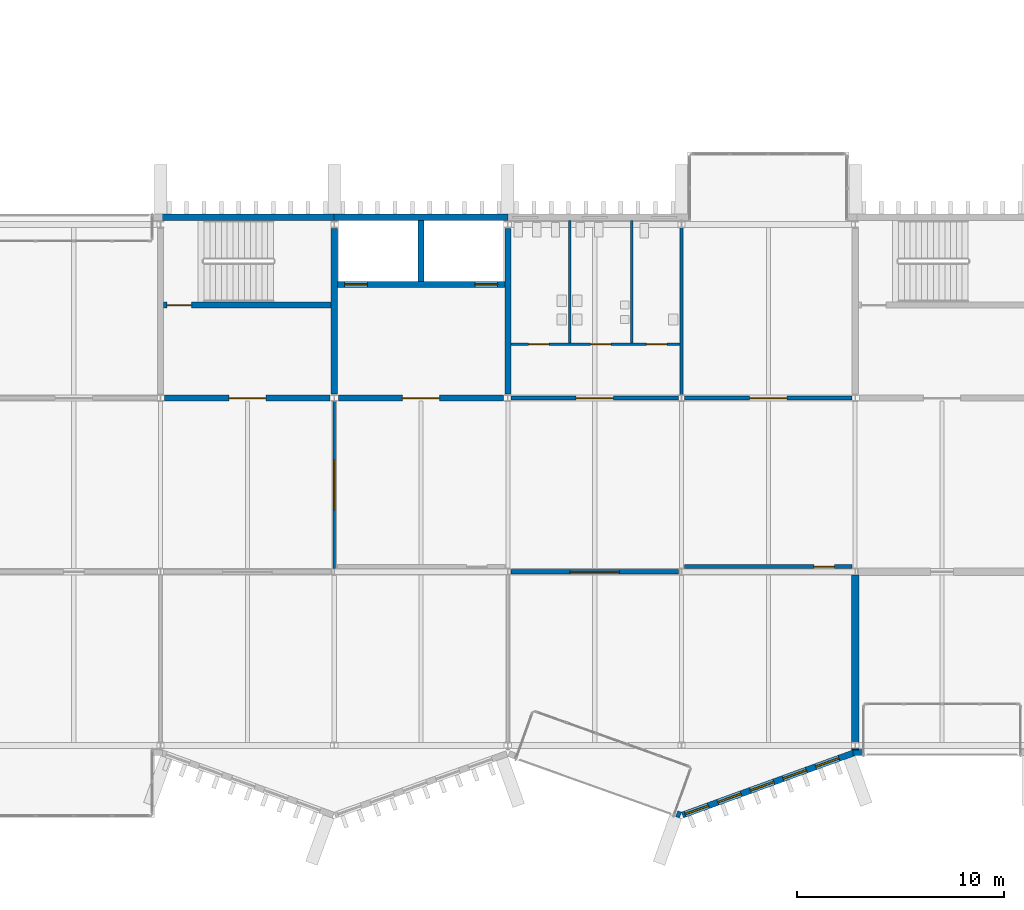
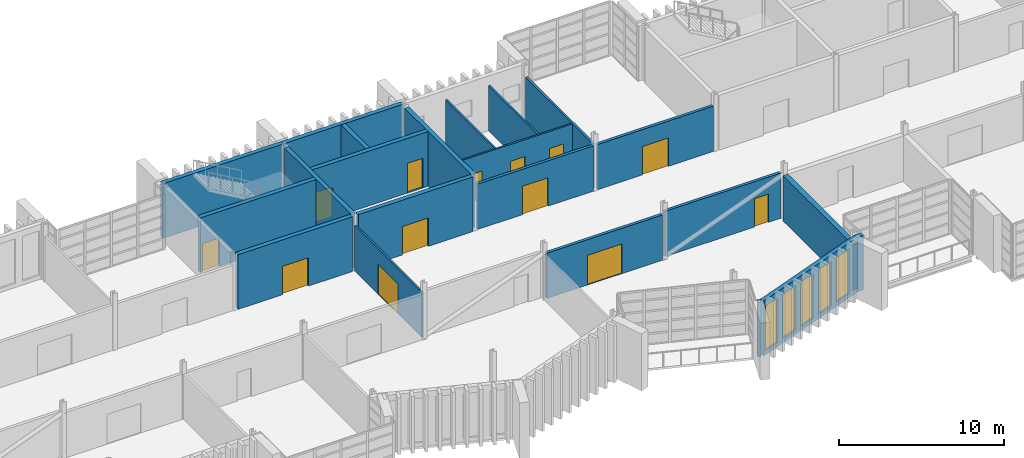
# One storey, part 66 of 100: 23 walls, 13 doors, 5 windows, 18 openings.
"""IFC4 building model written with IfcOpenShell, lengths in metres."""

from ifc_helpers import new_model, si_unit, direction, frame, frame_2d, origin, place, context, subcontext, project, spatial, rectangle, extrude, material, layer, layer_set, type_object, element, fill, save


model = new_model("IFC4")

# Units and contexts
model_context = context("Model", 3, precision=1e-05, world=origin(), true_north=direction((0.0, 1.0)))
body_context = subcontext(model_context, "Body", "Model", "MODEL_VIEW")
ifc_project = project(units=[si_unit("LENGTHUNIT", "METRE"), si_unit("AREAUNIT", "SQUARE_METRE"), si_unit("VOLUMEUNIT", "CUBIC_METRE"), si_unit("PLANEANGLEUNIT", "RADIAN"), si_unit("MASSUNIT", "GRAM", prefix="KILO")], contexts=[model_context])

# Site, building, storey
site_placement = place(None, origin())
site = spatial("IfcSite", under=ifc_project, at=site_placement, CompositionType="ELEMENT")
building_placement = place(site_placement, origin())
building = spatial("IfcBuilding", under=site, at=building_placement, Name="Cresset Court Congress Hotel", CompositionType="ELEMENT")
storey_placement = place(building_placement, frame((0.0, 0.0, 10.199951171875)))
storey = spatial("IfcBuildingStorey", under=building, at=storey_placement, Name="L02", CompositionType="ELEMENT", Elevation=10.199951171875)

# Walls
ifc_material_1 = material(Name="Double gypsum board leaves on steel studs with mineral wool", Category="steel")
ifc_layer_1 = layer(ifc_material_1, 0.35009765625)
ifc_layer_set_1 = layer_set([ifc_layer_1], Name="Acoustic double-leaf boardroom wall 350")
wall_type_1 = type_object("IfcWallType", Name="Acoustic double-leaf boardroom wall 350", PredefinedType="PARTITIONING", material=ifc_layer_set_1)
wall_1_placement = place(storey_placement, frame((134.39990234375, -0.199951171875, 0.0), z_axis=(0.0, 0.0, 1.0), x_axis=(0.0, 1.0, 0.0)))
element("IfcWall", 1, at=wall_1_placement, inside=storey, type_object=wall_type_1, Name="Boardroom acoustic wall", PredefinedType="PARTITIONING", context=body_context, shape_type="SweptSolid", body=[
    extrude(rectangle(XDim=0.050048828125, YDim=0.35009765625, at=frame_2d((0.02490234375, 0.0))), origin(), (0.0, 0.0, 1.0), 3.35009765625),
])
wall_2_placement = place(storey_placement, frame((134.39990234375, 0.14990234375, 0.0), z_axis=(0.0, 0.0, 1.0), x_axis=(0.0, 1.0, 0.0)))
element("IfcWall", 2, at=wall_2_placement, inside=storey, type_object=wall_type_1, Name="Boardroom acoustic wall", PredefinedType="PARTITIONING", context=body_context, shape_type="SweptSolid", body=[
    extrude(rectangle(XDim=8.10009765625, YDim=0.35009765625, at=frame_2d((4.050048828125, 0.0))), origin(), (0.0, 0.0, 1.0), 3.35009765625),
])
ifc_material_2 = material(Name="Concrete C50", Category="concrete")
ifc_layer_2 = layer(ifc_material_2, 0.300048828125)
ifc_layer_set_2 = layer_set([ifc_layer_2], Name="Core wall 300 Concrete C50")
wall_type_2 = type_object("IfcWallType", Name="Core wall 300 Concrete C50", PredefinedType="SHEAR", material=ifc_layer_set_2)
for number, where, z_axis, x_axis, name in (
    (3, (109.199951171875, 17.0, 0.0), (0.0, 0.0, 1.0), (0.0, 1.0, 0.0), "Core wall LC-B2"),
    (4, (117.60009765625, 17.0, 0.0), (0.0, 0.0, 1.0), (0.0, 1.0, 0.0), "Core wall LC-B2"),
):
    element("IfcWall", number, at=place(storey_placement, frame(where, z_axis=z_axis, x_axis=x_axis)), inside=storey, type_object=wall_type_2, Name=name, PredefinedType="SHEAR", context=body_context, shape_type="SweptSolid", body=[
        extrude(rectangle(XDim=8.0, YDim=0.300048828125, at=frame_2d((4.0, 0.0))), origin(), (0.0, 0.0, 1.0), 4.050048828125),
    ])

# Wall, opening, door
wall_3_placement = place(storey_placement, frame((109.39990234375, 16.800048828125, 0.0), z_axis=(0.0, 0.0, 1.0), x_axis=(1.0, 0.0, 0.0)))
wall_3 = element("IfcWall", 5, at=wall_3_placement, inside=storey, type_object=wall_type_2, Name="Core wall LC-B2", PredefinedType="SHEAR", context=body_context, shape_type="SweptSolid", body=[
    extrude(rectangle(XDim=8.0, YDim=0.300048828125, at=frame_2d((4.0, 0.0))), origin(), (0.0, 0.0, 1.0), 4.050048828125),
])
opening_1_placement = place(wall_3_placement, frame((3.10009765625, 0.0, 0.0)))
opening_1 = element("IfcOpeningElement", 6, at=opening_1_placement, cuts=wall_3, Name="Opening DB-02-35", PredefinedType="OPENING", context=body_context, shape_type="SweptSolid", body=[
    extrude(rectangle(XDim=1.800048828125, YDim=2.10009765625, at=frame_2d((0.89990234375, 1.050048828125))), frame((0.0, 0.159912109375, 0.0), z_axis=(0.0, -1.0, 0.0), x_axis=(1.0, 0.0, 0.0)), (0.0, 0.0, 1.0), 0.320068359375),
])
ifc_material_3 = material(Name="Timber and steel frame", Category="steel")
door_type_1 = type_object("IfcDoorType", Name="Lobby fire door FD60 double 1800x2100", OperationType="DOUBLE_DOOR_SINGLE_SWING", PredefinedType="DOOR", material=ifc_material_3)
door_1_placement = place(opening_1_placement, origin())
door_1 = element("IfcDoor", 7, at=door_1_placement, inside=storey, type_object=door_type_1, Name="Lift lobby door LC-B2", OperationType="DOUBLE_DOOR_SINGLE_SWING", OverallHeight=2.10009765625, OverallWidth=1.800048828125, PredefinedType="DOOR", context=body_context, shape_type="SweptSolid", body=[
    extrude(rectangle(XDim=1.800048828125, YDim=2.10009765625, at=frame_2d((0.89990234375, 1.050048828125))), frame((0.0, 0.02490234375, 0.0), z_axis=(0.0, -1.0, 0.0), x_axis=(1.0, 0.0, 0.0)), (0.0, 0.0, 1.0), 0.050048828125),
])
fill(opening_1, door_1)

# Wall, openings, doors
wall_4_placement = place(storey_placement, frame((109.35009765625, 22.300048828125, 0.0), z_axis=(0.0, 0.0, 1.0), x_axis=(1.0, 0.0, 0.0)))
wall_4 = element("IfcWall", 8, at=wall_4_placement, inside=storey, type_object=wall_type_2, Name="Core wall LC-B2", PredefinedType="SHEAR", context=body_context, shape_type="SweptSolid", body=[
    extrude(rectangle(XDim=8.099853515625, YDim=0.300048828125, at=frame_2d((4.0498046875, 0.0))), origin(), (0.0, 0.0, 1.0), 4.050048828125),
])
opening_2_placement = place(wall_4_placement, frame((0.35009765625, 0.0, 0.0)))
opening_2 = element("IfcOpeningElement", 9, at=opening_2_placement, cuts=wall_4, Name="Opening LD-B2-07", PredefinedType="OPENING", context=body_context, shape_type="SweptSolid", body=[
    extrude(rectangle(XDim=1.10009765625, YDim=2.199951171875, at=frame_2d((0.550048828125, 1.10009765625))), frame((0.0, 0.159912109375, 0.0), z_axis=(0.0, -1.0, 0.0), x_axis=(1.0, 0.0, 0.0)), (0.0, 0.0, 1.0), 0.320068359375),
])
opening_3_placement = place(wall_4_placement, frame((6.64990234375, 0.0, 0.0)))
opening_3 = element("IfcOpeningElement", 10, at=opening_3_placement, cuts=wall_4, Name="Opening LD-B2-08", PredefinedType="OPENING", context=body_context, shape_type="SweptSolid", body=[
    extrude(rectangle(XDim=1.10009765625, YDim=2.199951171875, at=frame_2d((0.550048828125, 1.10009765625))), frame((0.0, 0.159912109375, 0.0), z_axis=(0.0, -1.0, 0.0), x_axis=(1.0, 0.0, 0.0)), (0.0, 0.0, 1.0), 0.320068359375),
])
ifc_material_4 = material(Name="Stainless steel", Category="steel")
door_type_2 = type_object("IfcDoorType", Name="Lift landing door sliding 1100x2200", OperationType="SLIDING_TO_LEFT", PredefinedType="DOOR", material=ifc_material_4)
door_2_placement = place(opening_2_placement, origin())
door_2 = element("IfcDoor", 11, at=door_2_placement, inside=storey, type_object=door_type_2, Name="Lift landing door LD-B2-07", OperationType="SLIDING_TO_LEFT", OverallHeight=2.199951171875, OverallWidth=1.10009765625, PredefinedType="DOOR", context=body_context, shape_type="SweptSolid", body=[
    extrude(rectangle(XDim=1.10009765625, YDim=2.199951171875, at=frame_2d((0.550048828125, 1.10009765625))), frame((0.0, 0.02490234375, 0.0), z_axis=(0.0, -1.0, 0.0), x_axis=(1.0, 0.0, 0.0)), (0.0, 0.0, 1.0), 0.050048828125),
])
fill(opening_2, door_2)
door_3_placement = place(opening_3_placement, origin())
door_3 = element("IfcDoor", 12, at=door_3_placement, inside=storey, type_object=door_type_2, Name="Lift landing door LD-B2-08", OperationType="SLIDING_TO_LEFT", OverallHeight=2.199951171875, OverallWidth=1.10009765625, PredefinedType="DOOR", context=body_context, shape_type="SweptSolid", body=[
    extrude(rectangle(XDim=1.10009765625, YDim=2.199951171875, at=frame_2d((0.550048828125, 1.10009765625))), frame((0.0, 0.02490234375, 0.0), z_axis=(0.0, -1.0, 0.0), x_axis=(1.0, 0.0, 0.0)), (0.0, 0.0, 1.0), 0.050048828125),
])
fill(opening_3, door_3)

# Wall
wall_5_placement = place(storey_placement, frame((113.39990234375, 22.449951171875, 0.0), z_axis=(0.0, 0.0, 1.0), x_axis=(0.0, 1.0, 0.0)))
element("IfcWall", 13, at=wall_5_placement, inside=storey, type_object=wall_type_2, Name="Core wall LC-B2", PredefinedType="SHEAR", context=body_context, shape_type="SweptSolid", body=[
    extrude(rectangle(XDim=2.949951171875, YDim=0.300048828125, at=frame_2d((1.47509765625, 0.0))), origin(), (0.0, 0.0, 1.0), 4.050048828125),
])

# Wall, opening, door
wall_6_placement = place(storey_placement, frame((101.0, 16.800048828125, 0.0), z_axis=(0.0, 0.0, 1.0), x_axis=(1.0, 0.0, 0.0)))
wall_6 = element("IfcWall", 14, at=wall_6_placement, inside=storey, type_object=wall_type_2, Name="Core wall ST-B4", PredefinedType="SHEAR", context=body_context, shape_type="SweptSolid", body=[
    extrude(rectangle(XDim=8.0, YDim=0.300048828125, at=frame_2d((4.0, 0.0))), origin(), (0.0, 0.0, 1.0), 4.050048828125),
])
opening_4_placement = place(wall_6_placement, frame((3.10009765625, 0.0, 0.0)))
opening_4 = element("IfcOpeningElement", 15, at=opening_4_placement, cuts=wall_6, Name="Opening DB-02-48", PredefinedType="OPENING", context=body_context, shape_type="SweptSolid", body=[
    extrude(rectangle(XDim=1.800048828125, YDim=2.10009765625, at=frame_2d((0.89990234375, 1.050048828125))), frame((0.0, 0.159912109375, 0.0), z_axis=(0.0, -1.0, 0.0), x_axis=(1.0, 0.0, 0.0)), (0.0, 0.0, 1.0), 0.320068359375),
])
door_4_placement = place(opening_4_placement, origin())
door_4 = element("IfcDoor", 16, at=door_4_placement, inside=storey, type_object=door_type_1, Name="Stair lobby door ST-B4", OperationType="DOUBLE_DOOR_SINGLE_SWING", OverallHeight=2.10009765625, OverallWidth=1.800048828125, PredefinedType="DOOR", context=body_context, shape_type="SweptSolid", body=[
    extrude(rectangle(XDim=1.800048828125, YDim=2.10009765625, at=frame_2d((0.89990234375, 1.050048828125))), frame((0.0, 0.02490234375, 0.0), z_axis=(0.0, -1.0, 0.0), x_axis=(1.0, 0.0, 0.0)), (0.0, 0.0, 1.0), 0.050048828125),
])
fill(opening_4, door_4)

wall_7_placement = place(storey_placement, frame((100.949951171875, 21.300048828125, 0.0), z_axis=(0.0, 0.0, 1.0), x_axis=(1.0, 0.0, 0.0)))
wall_7 = element("IfcWall", 17, at=wall_7_placement, inside=storey, type_object=wall_type_2, Name="Core wall ST-B4", PredefinedType="SHEAR", context=body_context, shape_type="SweptSolid", body=[
    extrude(rectangle(XDim=8.10009765625, YDim=0.300048828125, at=frame_2d((4.050048828125, 0.0))), origin(), (0.0, 0.0, 1.0), 4.050048828125),
])
opening_5_placement = place(wall_7_placement, frame((0.14990234375, 0.0, 0.0)))
opening_5 = element("IfcOpeningElement", 18, at=opening_5_placement, cuts=wall_7, Name="Opening DB-02-47", PredefinedType="OPENING", context=body_context, shape_type="SweptSolid", body=[
    extrude(rectangle(XDim=1.199951171875, YDim=2.10009765625, at=frame_2d((0.60009765625, 1.050048828125))), frame((0.0, 0.159912109375, 0.0), z_axis=(0.0, -1.0, 0.0), x_axis=(1.0, 0.0, 0.0)), (0.0, 0.0, 1.0), 0.320068359375),
])
ifc_material_5 = material(Name="Timber and steel frame", Category="steel")
door_type_3 = type_object("IfcDoorType", Name="Stair fire door FD60 1200x2100", OperationType="SINGLE_SWING_LEFT", PredefinedType="DOOR", material=ifc_material_5)
door_5_placement = place(opening_5_placement, origin())
door_5 = element("IfcDoor", 19, at=door_5_placement, inside=storey, type_object=door_type_3, Name="Stair door ST-B4", OperationType="SINGLE_SWING_LEFT", OverallHeight=2.10009765625, OverallWidth=1.199951171875, PredefinedType="DOOR", context=body_context, shape_type="SweptSolid", body=[
    extrude(rectangle(XDim=1.199951171875, YDim=2.10009765625, at=frame_2d((0.60009765625, 1.050048828125))), frame((0.0, 0.02490234375, 0.0), z_axis=(0.0, -1.0, 0.0), x_axis=(1.0, 0.0, 0.0)), (0.0, 0.0, 1.0), 0.050048828125),
])
fill(opening_5, door_5)

# Walls
ifc_material_6 = material(Name="Concrete C50", Category="concrete")
ifc_layer_3 = layer(ifc_material_6, 0.300048828125)
ifc_layer_set_3 = layer_set([ifc_layer_3], Name="Core wall 300 Concrete C50 external")
wall_type_3 = type_object("IfcWallType", Name="Core wall 300 Concrete C50 external", PredefinedType="SHEAR", material=ifc_layer_set_3)
wall_8_placement = place(storey_placement, frame((109.199951171875, 25.550048828125, 0.0), z_axis=(0.0, 0.0, 1.0), x_axis=(1.0, 0.0, 0.0)))
element("IfcWall", 20, at=wall_8_placement, inside=storey, type_object=wall_type_3, Name="Core wall LC-B2", PredefinedType="SHEAR", context=body_context, shape_type="SweptSolid", body=[
    extrude(rectangle(XDim=8.400146484375, YDim=0.300048828125, at=frame_2d((4.2001953125, 0.0))), origin(), (0.0, 0.0, 1.0), 4.050048828125),
])
wall_9_placement = place(storey_placement, frame((100.800048828125, 25.550048828125, 0.0), z_axis=(0.0, 0.0, 1.0), x_axis=(1.0, 0.0, 0.0)))
element("IfcWall", 21, at=wall_9_placement, inside=storey, type_object=wall_type_3, Name="Core wall ST-B4", PredefinedType="SHEAR", context=body_context, shape_type="SweptSolid", body=[
    extrude(rectangle(XDim=8.39990234375, YDim=0.300048828125, at=frame_2d((4.199951171875, 0.0))), origin(), (0.0, 0.0, 1.0), 4.050048828125),
])
ifc_material_7 = material(Name="Concrete C40", Category="concrete")
ifc_layer_4 = layer(ifc_material_7, 0.300048828125)
ifc_layer_set_4 = layer_set([ifc_layer_4], Name="External wall 300 Concrete C40")
wall_type_4 = type_object("IfcWallType", Name="External wall 300 Concrete C40", PredefinedType="SOLIDWALL", material=ifc_layer_set_4)
wall_10_placement = place(storey_placement, frame((134.300048828125, -0.35009765625, 0.0), z_axis=(0.0, 0.0, 1.0), x_axis=(1.0, 0.0, 0.0)))
element("IfcWall", 22, at=wall_10_placement, inside=storey, type_object=wall_type_4, Name="External wall", PredefinedType="SOLIDWALL", context=body_context, shape_type="SweptSolid", body=[
    extrude(rectangle(XDim=0.5, YDim=0.300048828125, at=frame_2d((0.25, 0.0))), origin(), (0.0, 0.0, 1.0), 4.050048828125),
])
wall_11_placement = place(storey_placement, frame((125.767822265625, -3.307861328125, 0.0), z_axis=(0.0, 0.0, 1.0), x_axis=(0.942000485661, -0.335611509061, 0.0)))
element("IfcWall", 23, at=wall_11_placement, inside=storey, type_object=wall_type_4, Name="External wall", PredefinedType="SOLIDWALL", context=body_context, shape_type="SweptSolid", body=[
    extrude(rectangle(XDim=0.192138671875, YDim=0.300048828125, at=frame_2d((0.09619140625, 0.0))), origin(), (0.0, 0.0, 1.0), 4.050048828125),
])

# Wall, openings, windows
wall_12_placement = place(storey_placement, frame((126.05029296875, -3.3720703125, 0.0), z_axis=(0.0, 0.0, 1.0), x_axis=(0.939956409183, 0.3412945192, 0.0)))
wall_12 = element("IfcWall", 24, at=wall_12_placement, inside=storey, type_object=wall_type_4, Name="External wall", PredefinedType="SOLIDWALL", context=body_context, shape_type="SweptSolid", body=[
    extrude(rectangle(XDim=8.82861328125, YDim=0.300048828125, at=frame_2d((4.414306640625, 0.0))), origin(), (0.0, 0.0, 1.0), 4.050048828125),
])
opening_6_placement = place(wall_12_placement, frame((0.132080078125, 0.0, 0.300048828125)))
opening_6 = element("IfcOpeningElement", 25, at=opening_6_placement, cuts=wall_12, Name="Opening NB-02-44", PredefinedType="OPENING", context=body_context, shape_type="SweptSolid", body=[
    extrude(rectangle(XDim=1.199951171875, YDim=3.300048828125, at=frame_2d((0.60009765625, 1.64990234375))), frame((0.0, 0.159912109375, 0.0), z_axis=(0.0, -1.0, 0.0), x_axis=(1.0, 0.0, 0.0)), (0.0, 0.0, 1.0), 0.320068359375),
])
opening_7_placement = place(wall_12_placement, frame((1.81201171875, 0.0, 0.300048828125)))
opening_7 = element("IfcOpeningElement", 26, at=opening_7_placement, cuts=wall_12, Name="Opening NB-02-45", PredefinedType="OPENING", context=body_context, shape_type="SweptSolid", body=[
    extrude(rectangle(XDim=1.199951171875, YDim=3.300048828125, at=frame_2d((0.60009765625, 1.64990234375))), frame((0.0, 0.159912109375, 0.0), z_axis=(0.0, -1.0, 0.0), x_axis=(1.0, 0.0, 0.0)), (0.0, 0.0, 1.0), 0.320068359375),
])
opening_8_placement = place(wall_12_placement, frame((3.491943359375, 0.0, 0.300048828125)))
opening_8 = element("IfcOpeningElement", 27, at=opening_8_placement, cuts=wall_12, Name="Opening NB-02-46", PredefinedType="OPENING", context=body_context, shape_type="SweptSolid", body=[
    extrude(rectangle(XDim=1.199951171875, YDim=3.300048828125, at=frame_2d((0.60009765625, 1.64990234375))), frame((0.0, 0.159912109375, 0.0), z_axis=(0.0, -1.0, 0.0), x_axis=(1.0, 0.0, 0.0)), (0.0, 0.0, 1.0), 0.320068359375),
])
opening_9_placement = place(wall_12_placement, frame((5.172119140625, 0.0, 0.300048828125)))
opening_9 = element("IfcOpeningElement", 28, at=opening_9_placement, cuts=wall_12, Name="Opening NB-02-47", PredefinedType="OPENING", context=body_context, shape_type="SweptSolid", body=[
    extrude(rectangle(XDim=1.199951171875, YDim=3.300048828125, at=frame_2d((0.60009765625, 1.64990234375))), frame((0.0, 0.159912109375, 0.0), z_axis=(0.0, -1.0, 0.0), x_axis=(1.0, 0.0, 0.0)), (0.0, 0.0, 1.0), 0.320068359375),
])
opening_10_placement = place(wall_12_placement, frame((6.85205078125, 0.0, 0.300048828125)))
opening_10 = element("IfcOpeningElement", 29, at=opening_10_placement, cuts=wall_12, Name="Opening NB-02-48", PredefinedType="OPENING", context=body_context, shape_type="SweptSolid", body=[
    extrude(rectangle(XDim=1.199951171875, YDim=3.300048828125, at=frame_2d((0.60009765625, 1.64990234375))), frame((0.0, 0.159912109375, 0.0), z_axis=(0.0, -1.0, 0.0), x_axis=(1.0, 0.0, 0.0)), (0.0, 0.0, 1.0), 0.320068359375),
])
ifc_material_8 = material(Name="Aluminium frame with double glazing", Category="aluminium")
window_type = type_object("IfcWindowType", Name="Window 1200x3300", PartitioningType="TRIPLE_PANEL_VERTICAL", PredefinedType="WINDOW", material=ifc_material_8)
window_1_placement = place(opening_6_placement, origin())
window_1 = element("IfcWindow", 30, at=window_1_placement, inside=storey, type_object=window_type, Name="Window NB-02-44", OverallHeight=3.300048828125, OverallWidth=1.199951171875, PartitioningType="TRIPLE_PANEL_VERTICAL", PredefinedType="WINDOW", context=body_context, shape_type="SweptSolid", body=[
    extrude(rectangle(XDim=1.199951171875, YDim=3.300048828125, at=frame_2d((0.60009765625, 1.64990234375))), frame((0.0, 0.030029296875, 0.0), z_axis=(0.0, -1.0, 0.0), x_axis=(1.0, 0.0, 0.0)), (0.0, 0.0, 1.0), 0.06005859375),
])
fill(opening_6, window_1)
window_2_placement = place(opening_7_placement, origin())
window_2 = element("IfcWindow", 31, at=window_2_placement, inside=storey, type_object=window_type, Name="Window NB-02-45", OverallHeight=3.300048828125, OverallWidth=1.199951171875, PartitioningType="TRIPLE_PANEL_VERTICAL", PredefinedType="WINDOW", context=body_context, shape_type="SweptSolid", body=[
    extrude(rectangle(XDim=1.199951171875, YDim=3.300048828125, at=frame_2d((0.60009765625, 1.64990234375))), frame((0.0, 0.030029296875, 0.0), z_axis=(0.0, -1.0, 0.0), x_axis=(1.0, 0.0, 0.0)), (0.0, 0.0, 1.0), 0.06005859375),
])
fill(opening_7, window_2)
window_3_placement = place(opening_8_placement, origin())
window_3 = element("IfcWindow", 32, at=window_3_placement, inside=storey, type_object=window_type, Name="Window NB-02-46", OverallHeight=3.300048828125, OverallWidth=1.199951171875, PartitioningType="TRIPLE_PANEL_VERTICAL", PredefinedType="WINDOW", context=body_context, shape_type="SweptSolid", body=[
    extrude(rectangle(XDim=1.199951171875, YDim=3.300048828125, at=frame_2d((0.60009765625, 1.64990234375))), frame((0.0, 0.030029296875, 0.0), z_axis=(0.0, -1.0, 0.0), x_axis=(1.0, 0.0, 0.0)), (0.0, 0.0, 1.0), 0.06005859375),
])
fill(opening_8, window_3)
window_4_placement = place(opening_9_placement, origin())
window_4 = element("IfcWindow", 33, at=window_4_placement, inside=storey, type_object=window_type, Name="Window NB-02-47", OverallHeight=3.300048828125, OverallWidth=1.199951171875, PartitioningType="TRIPLE_PANEL_VERTICAL", PredefinedType="WINDOW", context=body_context, shape_type="SweptSolid", body=[
    extrude(rectangle(XDim=1.199951171875, YDim=3.300048828125, at=frame_2d((0.60009765625, 1.64990234375))), frame((0.0, 0.030029296875, 0.0), z_axis=(0.0, -1.0, 0.0), x_axis=(1.0, 0.0, 0.0)), (0.0, 0.0, 1.0), 0.06005859375),
])
fill(opening_9, window_4)
window_5_placement = place(opening_10_placement, origin())
window_5 = element("IfcWindow", 34, at=window_5_placement, inside=storey, type_object=window_type, Name="Window NB-02-48", OverallHeight=3.300048828125, OverallWidth=1.199951171875, PartitioningType="TRIPLE_PANEL_VERTICAL", PredefinedType="WINDOW", context=body_context, shape_type="SweptSolid", body=[
    extrude(rectangle(XDim=1.199951171875, YDim=3.300048828125, at=frame_2d((0.60009765625, 1.64990234375))), frame((0.0, 0.030029296875, 0.0), z_axis=(0.0, -1.0, 0.0), x_axis=(1.0, 0.0, 0.0)), (0.0, 0.0, 1.0), 0.06005859375),
])
fill(opening_10, window_5)

# Wall, opening, door
ifc_material_9 = material(Name="Gypsum board on steel studs", Category="steel")
ifc_layer_5 = layer(ifc_material_9, 0.199951171875)
ifc_layer_set_5 = layer_set([ifc_layer_5], Name="Foyer wall 200")
wall_type_5 = type_object("IfcWallType", Name="Foyer wall 200", PredefinedType="PARTITIONING", material=ifc_layer_set_5)
wall_13_placement = place(storey_placement, frame((117.75, 8.39990234375, 0.0), z_axis=(0.0, 0.0, 1.0), x_axis=(1.0, 0.0, 0.0)))
wall_13 = element("IfcWall", 35, at=wall_13_placement, inside=storey, type_object=wall_type_5, Name="Foyer wall", PredefinedType="PARTITIONING", context=body_context, shape_type="SweptSolid", body=[
    extrude(rectangle(XDim=8.10009765625, YDim=0.199951171875, at=frame_2d((4.050048828125, 0.0))), origin(), (0.0, 0.0, 1.0), 3.35009765625),
])
opening_11_placement = place(wall_13_placement, frame((2.85009765625, 0.0, 0.0)))
opening_11 = element("IfcOpeningElement", 36, at=opening_11_placement, cuts=wall_13, Name="Opening DB-02-12", PredefinedType="OPENING", context=body_context, shape_type="SweptSolid", body=[
    extrude(rectangle(XDim=2.39990234375, YDim=2.199951171875, at=frame_2d((1.199951171875, 1.10009765625))), frame((0.0, 0.10986328125, 0.0), z_axis=(0.0, -1.0, 0.0), x_axis=(1.0, 0.0, 0.0)), (0.0, 0.0, 1.0), 0.219970703125),
])
ifc_material_10 = material(Name="Timber and steel frame", Category="steel")
door_type_4 = type_object("IfcDoorType", Name="Fire door FD30 double 2400x2200", OperationType="DOUBLE_DOOR_SINGLE_SWING", PredefinedType="DOOR", material=ifc_material_10)
door_6_placement = place(opening_11_placement, origin())
door_6 = element("IfcDoor", 37, at=door_6_placement, inside=storey, type_object=door_type_4, Name="Meeting Room door", OperationType="DOUBLE_DOOR_SINGLE_SWING", OverallHeight=2.199951171875, OverallWidth=2.39990234375, PredefinedType="DOOR", context=body_context, shape_type="SweptSolid", body=[
    extrude(rectangle(XDim=2.39990234375, YDim=2.199951171875, at=frame_2d((1.199951171875, 1.10009765625))), frame((0.0, 0.02490234375, 0.0), z_axis=(0.0, -1.0, 0.0), x_axis=(1.0, 0.0, 0.0)), (0.0, 0.0, 1.0), 0.050048828125),
])
fill(opening_11, door_6)

wall_14_placement = place(storey_placement, frame((126.14990234375, 8.646484375, 0.0), z_axis=(0.0, 0.0, 1.0), x_axis=(1.0, 0.0, 0.0)))
wall_14 = element("IfcWall", 38, at=wall_14_placement, inside=storey, type_object=wall_type_5, Name="Foyer wall", PredefinedType="PARTITIONING", context=body_context, shape_type="SweptSolid", body=[
    extrude(rectangle(XDim=8.10009765625, YDim=0.199951171875, at=frame_2d((4.050048828125, 0.0))), origin(), (0.0, 0.0, 1.0), 3.35009765625),
])
opening_12_placement = place(wall_14_placement, frame((6.25, 0.0, 0.0)))
opening_12 = element("IfcOpeningElement", 39, at=opening_12_placement, cuts=wall_14, Name="Opening DB-02-13", PredefinedType="OPENING", context=body_context, shape_type="SweptSolid", body=[
    extrude(rectangle(XDim=1.0, YDim=2.10009765625, at=frame_2d((0.5, 1.050048828125))), frame((0.0, 0.10986328125, 0.0), z_axis=(0.0, -1.0, 0.0), x_axis=(1.0, 0.0, 0.0)), (0.0, 0.0, 1.0), 0.219970703125),
])
ifc_material_11 = material(Name="Timber and steel frame", Category="steel")
door_type_5 = type_object("IfcDoorType", Name="Fire door FD30 single 1000x2100", OperationType="SINGLE_SWING_LEFT", PredefinedType="DOOR", material=ifc_material_11)
door_7_placement = place(opening_12_placement, origin())
door_7 = element("IfcDoor", 40, at=door_7_placement, inside=storey, type_object=door_type_5, Name="Meeting Room door", OperationType="SINGLE_SWING_LEFT", OverallHeight=2.10009765625, OverallWidth=1.0, PredefinedType="DOOR", context=body_context, shape_type="SweptSolid", body=[
    extrude(rectangle(XDim=1.0, YDim=2.10009765625, at=frame_2d((0.5, 1.050048828125))), frame((0.0, 0.02490234375, 0.0), z_axis=(0.0, -1.0, 0.0), x_axis=(1.0, 0.0, 0.0)), (0.0, 0.0, 1.0), 0.050048828125),
])
fill(opening_12, door_7)

wall_15_placement = place(storey_placement, frame((117.75, 16.800048828125, 0.0), z_axis=(0.0, 0.0, 1.0), x_axis=(1.0, 0.0, 0.0)))
wall_15 = element("IfcWall", 41, at=wall_15_placement, inside=storey, type_object=wall_type_5, Name="Foyer wall", PredefinedType="PARTITIONING", context=body_context, shape_type="SweptSolid", body=[
    extrude(rectangle(XDim=8.10009765625, YDim=0.199951171875, at=frame_2d((4.050048828125, 0.0))), origin(), (0.0, 0.0, 1.0), 3.35009765625),
])
opening_13_placement = place(wall_15_placement, frame((3.14990234375, 0.0, 0.0)))
opening_13 = element("IfcOpeningElement", 42, at=opening_13_placement, cuts=wall_15, Name="Opening DB-02-24", PredefinedType="OPENING", context=body_context, shape_type="SweptSolid", body=[
    extrude(rectangle(XDim=1.800048828125, YDim=2.10009765625, at=frame_2d((0.89990234375, 1.050048828125))), frame((0.0, 0.10986328125, 0.0), z_axis=(0.0, -1.0, 0.0), x_axis=(1.0, 0.0, 0.0)), (0.0, 0.0, 1.0), 0.219970703125),
])
ifc_material_12 = material(Name="Timber and steel frame", Category="steel")
door_type_6 = type_object("IfcDoorType", Name="Fire door FD30 double 1800x2100", OperationType="DOUBLE_DOOR_SINGLE_SWING", PredefinedType="DOOR", material=ifc_material_12)
door_8_placement = place(opening_13_placement, origin())
door_8 = element("IfcDoor", 43, at=door_8_placement, inside=storey, type_object=door_type_6, Name="Toilet lobby door", OperationType="DOUBLE_DOOR_SINGLE_SWING", OverallHeight=2.10009765625, OverallWidth=1.800048828125, PredefinedType="DOOR", context=body_context, shape_type="SweptSolid", body=[
    extrude(rectangle(XDim=1.800048828125, YDim=2.10009765625, at=frame_2d((0.89990234375, 1.050048828125))), frame((0.0, 0.02490234375, 0.0), z_axis=(0.0, -1.0, 0.0), x_axis=(1.0, 0.0, 0.0)), (0.0, 0.0, 1.0), 0.050048828125),
])
fill(opening_13, door_8)

wall_16_placement = place(storey_placement, frame((126.14990234375, 16.800048828125, 0.0), z_axis=(0.0, 0.0, 1.0), x_axis=(1.0, 0.0, 0.0)))
wall_16 = element("IfcWall", 44, at=wall_16_placement, inside=storey, type_object=wall_type_5, Name="Foyer wall", PredefinedType="PARTITIONING", context=body_context, shape_type="SweptSolid", body=[
    extrude(rectangle(XDim=8.10009765625, YDim=0.199951171875, at=frame_2d((4.050048828125, 0.0))), origin(), (0.0, 0.0, 1.0), 3.35009765625),
])
opening_14_placement = place(wall_16_placement, frame((3.14990234375, 0.0, 0.0)))
opening_14 = element("IfcOpeningElement", 45, at=opening_14_placement, cuts=wall_16, Name="Opening DB-02-25", PredefinedType="OPENING", context=body_context, shape_type="SweptSolid", body=[
    extrude(rectangle(XDim=1.800048828125, YDim=2.10009765625, at=frame_2d((0.89990234375, 1.050048828125))), frame((0.0, 0.10986328125, 0.0), z_axis=(0.0, -1.0, 0.0), x_axis=(1.0, 0.0, 0.0)), (0.0, 0.0, 1.0), 0.219970703125),
])
door_9_placement = place(opening_14_placement, origin())
door_9 = element("IfcDoor", 46, at=door_9_placement, inside=storey, type_object=door_type_6, Name="Meeting Room door", OperationType="DOUBLE_DOOR_SINGLE_SWING", OverallHeight=2.10009765625, OverallWidth=1.800048828125, PredefinedType="DOOR", context=body_context, shape_type="SweptSolid", body=[
    extrude(rectangle(XDim=1.800048828125, YDim=2.10009765625, at=frame_2d((0.89990234375, 1.050048828125))), frame((0.0, 0.02490234375, 0.0), z_axis=(0.0, -1.0, 0.0), x_axis=(1.0, 0.0, 0.0)), (0.0, 0.0, 1.0), 0.050048828125),
])
fill(opening_14, door_9)

ifc_material_13 = material(Name="Fire-resisting glazed screen")
ifc_layer_6 = layer(ifc_material_13, 0.125)
ifc_layer_set_6 = layer_set([ifc_layer_6], Name="Glazed fire screen 125")
wall_type_6 = type_object("IfcWallType", Name="Glazed fire screen 125", PredefinedType="PARTITIONING", material=ifc_layer_set_6)
wall_17_placement = place(storey_placement, frame((109.199951171875, 8.550048828125, 0.0), z_axis=(0.0, 0.0, 1.0), x_axis=(0.0, 1.0, 0.0)))
wall_17 = element("IfcWall", 47, at=wall_17_placement, inside=storey, type_object=wall_type_6, Name="Glazed fire screen", PredefinedType="PARTITIONING", context=body_context, shape_type="SweptSolid", body=[
    extrude(rectangle(XDim=8.099853515625, YDim=0.125, at=frame_2d((4.0498046875, 0.0))), origin(), (0.0, 0.0, 1.0), 3.35009765625),
])
opening_15_placement = place(wall_17_placement, frame((2.85009765625, 0.0, 0.0)))
opening_15 = element("IfcOpeningElement", 48, at=opening_15_placement, cuts=wall_17, Name="Opening DB-02-31", PredefinedType="OPENING", context=body_context, shape_type="SweptSolid", body=[
    extrude(rectangle(XDim=2.39990234375, YDim=2.199951171875, at=frame_2d((1.199951171875, 1.10009765625))), frame((0.0, 0.072509765625, 0.0), z_axis=(0.0, -1.0, 0.0), x_axis=(1.0, 0.0, 0.0)), (0.0, 0.0, 1.0), 0.14501953125),
])
ifc_material_14 = material(Name="Fire-resisting glazing in steel frame", Category="steel")
door_type_7 = type_object("IfcDoorType", Name="Smoke door glazed double 2400x2200", OperationType="DOUBLE_DOOR_SINGLE_SWING", PredefinedType="DOOR", material=ifc_material_14)
door_10_placement = place(opening_15_placement, origin())
door_10 = element("IfcDoor", 49, at=door_10_placement, inside=storey, type_object=door_type_7, Name="Foyer screen door", OperationType="DOUBLE_DOOR_SINGLE_SWING", OverallHeight=2.199951171875, OverallWidth=2.39990234375, PredefinedType="DOOR", context=body_context, shape_type="SweptSolid", body=[
    extrude(rectangle(XDim=2.39990234375, YDim=2.199951171875, at=frame_2d((1.199951171875, 1.10009765625))), frame((0.0, 0.02490234375, 0.0), z_axis=(0.0, -1.0, 0.0), x_axis=(1.0, 0.0, 0.0)), (0.0, 0.0, 1.0), 0.050048828125),
])
fill(opening_15, door_10)

# Wall
ifc_material_15 = material(Name="Gypsum board on steel studs", Category="steel")
ifc_layer_7 = layer(ifc_material_15, 0.14990234375)
ifc_layer_set_7 = layer_set([ifc_layer_7], Name="Partition 150")
wall_type_7 = type_object("IfcWallType", Name="Partition 150", PredefinedType="PARTITIONING", material=ifc_layer_set_7)
wall_18_placement = place(storey_placement, frame((126.0, 16.949951171875, 0.0), z_axis=(0.0, 0.0, 1.0), x_axis=(0.0, 1.0, 0.0)))
element("IfcWall", 50, at=wall_18_placement, inside=storey, type_object=wall_type_7, Name="Partition", PredefinedType="PARTITIONING", context=body_context, shape_type="SweptSolid", body=[
    extrude(rectangle(XDim=8.10009765625, YDim=0.14990234375, at=frame_2d((4.050048828125, 0.0))), origin(), (0.0, 0.0, 1.0), 3.35009765625),
])

# Wall, openings, doors
ifc_material_16 = material(Name="Moisture-resistant board on steel studs", Category="steel")
ifc_layer_8 = layer(ifc_material_16, 0.125)
ifc_layer_set_8 = layer_set([ifc_layer_8], Name="Wet area partition 125")
wall_type_8 = type_object("IfcWallType", Name="Wet area partition 125", PredefinedType="PARTITIONING", material=ifc_layer_set_8)
wall_19_placement = place(storey_placement, frame((117.75, 19.39990234375, 0.0), z_axis=(0.0, 0.0, 1.0), x_axis=(1.0, 0.0, 0.0)))
wall_19 = element("IfcWall", 51, at=wall_19_placement, inside=storey, type_object=wall_type_8, Name="Wet area partition", PredefinedType="PARTITIONING", context=body_context, shape_type="SweptSolid", body=[
    extrude(rectangle(XDim=8.175048828125, YDim=0.125, at=frame_2d((4.08740234375, 0.0))), origin(), (0.0, 0.0, 1.0), 3.35009765625),
])
opening_16_placement = place(wall_19_placement, frame((0.85009765625, 0.0, 0.0)))
opening_16 = element("IfcOpeningElement", 52, at=opening_16_placement, cuts=wall_19, Name="Opening DB-02-27", PredefinedType="OPENING", context=body_context, shape_type="SweptSolid", body=[
    extrude(rectangle(XDim=1.0, YDim=2.10009765625, at=frame_2d((0.5, 1.050048828125))), frame((0.0, 0.072509765625, 0.0), z_axis=(0.0, -1.0, 0.0), x_axis=(1.0, 0.0, 0.0)), (0.0, 0.0, 1.0), 0.14501953125),
])
opening_17_placement = place(wall_19_placement, frame((3.85009765625, 0.0, 0.0)))
opening_17 = element("IfcOpeningElement", 53, at=opening_17_placement, cuts=wall_19, Name="Opening DB-02-28", PredefinedType="OPENING", context=body_context, shape_type="SweptSolid", body=[
    extrude(rectangle(XDim=1.0, YDim=2.10009765625, at=frame_2d((0.5, 1.050048828125))), frame((0.0, 0.072509765625, 0.0), z_axis=(0.0, -1.0, 0.0), x_axis=(1.0, 0.0, 0.0)), (0.0, 0.0, 1.0), 0.14501953125),
])
opening_18_placement = place(wall_19_placement, frame((6.550048828125, 0.0, 0.0)))
opening_18 = element("IfcOpeningElement", 54, at=opening_18_placement, cuts=wall_19, Name="Opening DB-02-29", PredefinedType="OPENING", context=body_context, shape_type="SweptSolid", body=[
    extrude(rectangle(XDim=1.0, YDim=2.10009765625, at=frame_2d((0.5, 1.050048828125))), frame((0.0, 0.072509765625, 0.0), z_axis=(0.0, -1.0, 0.0), x_axis=(1.0, 0.0, 0.0)), (0.0, 0.0, 1.0), 0.14501953125),
])
ifc_material_17 = material(Name="Timber and steel frame", Category="steel")
door_type_8 = type_object("IfcDoorType", Name="Single door 1000x2100", OperationType="SINGLE_SWING_LEFT", PredefinedType="DOOR", material=ifc_material_17)
door_11_placement = place(opening_18_placement, origin())
door_11 = element("IfcDoor", 55, at=door_11_placement, inside=storey, type_object=door_type_8, Name="Accessible WC door", OperationType="SINGLE_SWING_LEFT", OverallHeight=2.10009765625, OverallWidth=1.0, PredefinedType="DOOR", context=body_context, shape_type="SweptSolid", body=[
    extrude(rectangle(XDim=1.0, YDim=2.10009765625, at=frame_2d((0.5, 1.050048828125))), frame((0.0, 0.02490234375, 0.0), z_axis=(0.0, -1.0, 0.0), x_axis=(1.0, 0.0, 0.0)), (0.0, 0.0, 1.0), 0.050048828125),
])
fill(opening_18, door_11)
ifc_material_18 = material(Name="Timber and steel frame", Category="steel")
door_type_9 = type_object("IfcDoorType", Name="Toilet door 1000x2100", OperationType="SINGLE_SWING_LEFT", PredefinedType="DOOR", material=ifc_material_18)
door_12_placement = place(opening_16_placement, origin())
door_12 = element("IfcDoor", 56, at=door_12_placement, inside=storey, type_object=door_type_9, Name="Women's WC door", OperationType="SINGLE_SWING_LEFT", OverallHeight=2.10009765625, OverallWidth=1.0, PredefinedType="DOOR", context=body_context, shape_type="SweptSolid", body=[
    extrude(rectangle(XDim=1.0, YDim=2.10009765625, at=frame_2d((0.5, 1.050048828125))), frame((0.0, 0.02490234375, 0.0), z_axis=(0.0, -1.0, 0.0), x_axis=(1.0, 0.0, 0.0)), (0.0, 0.0, 1.0), 0.050048828125),
])
fill(opening_16, door_12)
door_13_placement = place(opening_17_placement, origin())
door_13 = element("IfcDoor", 57, at=door_13_placement, inside=storey, type_object=door_type_9, Name="Men's WC door", OperationType="SINGLE_SWING_LEFT", OverallHeight=2.10009765625, OverallWidth=1.0, PredefinedType="DOOR", context=body_context, shape_type="SweptSolid", body=[
    extrude(rectangle(XDim=1.0, YDim=2.10009765625, at=frame_2d((0.5, 1.050048828125))), frame((0.0, 0.02490234375, 0.0), z_axis=(0.0, -1.0, 0.0), x_axis=(1.0, 0.0, 0.0)), (0.0, 0.0, 1.0), 0.050048828125),
])
fill(opening_17, door_13)

# Walls
for number, where, z_axis, x_axis, name in (
    (58, (120.60009765625, 19.46240234375, 0.0), (0.0, 0.0, 1.0), (0.0, 1.0, 0.0), "Wet area partition"),
    (59, (123.60009765625, 19.46240234375, 0.0), (0.0, 0.0, 1.0), (0.0, 1.0, 0.0), "Wet area partition"),
):
    element("IfcWall", number, at=place(storey_placement, frame(where, z_axis=z_axis, x_axis=x_axis)), inside=storey, type_object=wall_type_8, Name=name, PredefinedType="PARTITIONING", context=body_context, shape_type="SweptSolid", body=[
        extrude(rectangle(XDim=5.9375, YDim=0.125, at=frame_2d((2.96875, 0.0))), origin(), (0.0, 0.0, 1.0), 3.35009765625),
    ])

save(model, "model.ifc")
